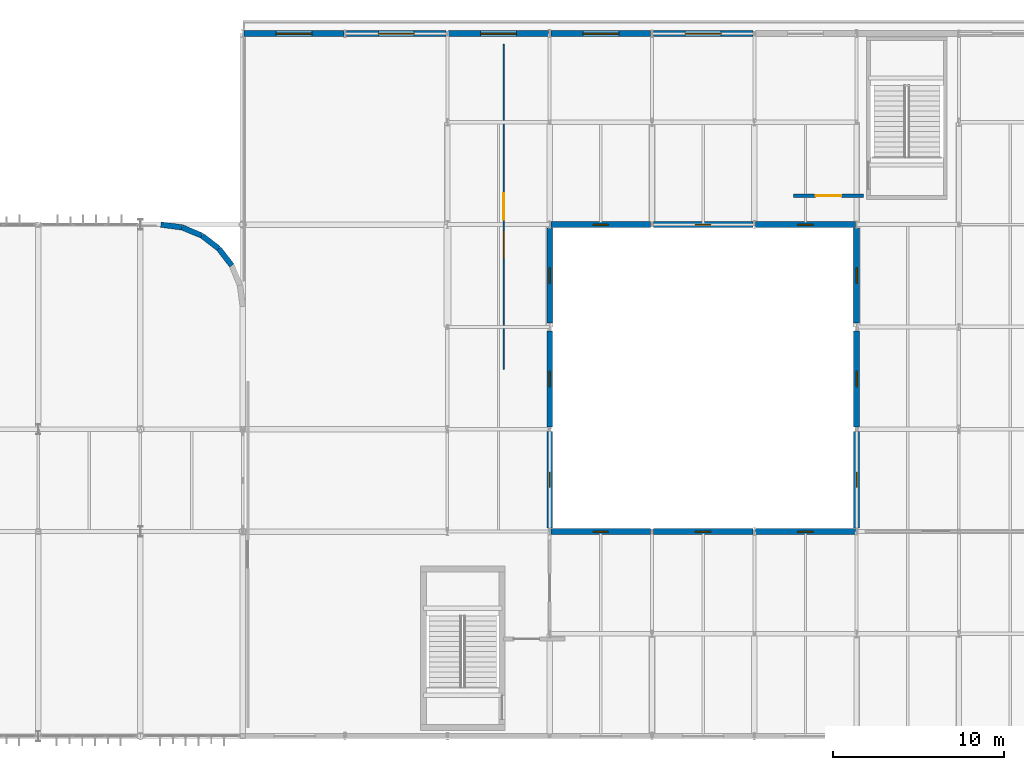
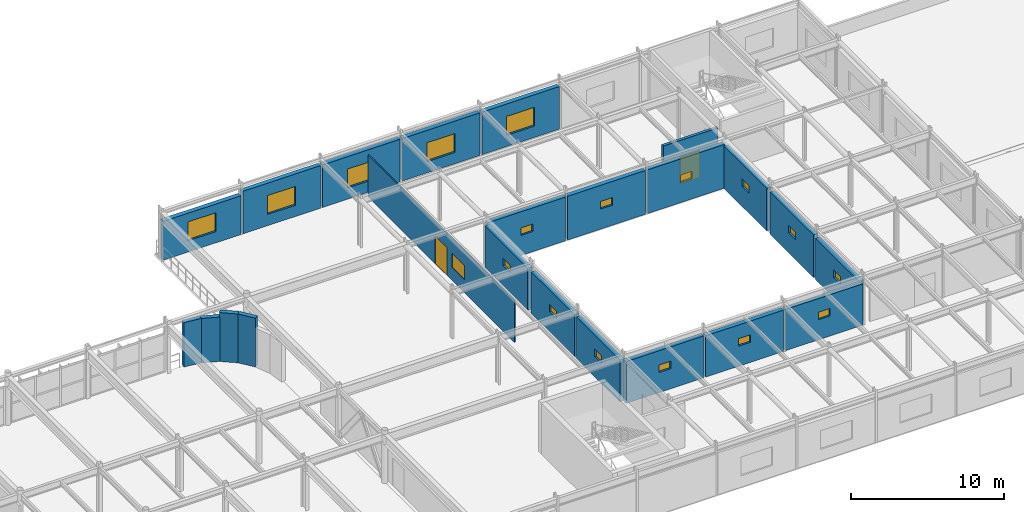
# One storey, part 92 of 116: 23 walls, 18 windows, 2 doors, 20 openings.
"""IFC4 building model written with IfcOpenShell, lengths in metres."""

import ifcopenshell
import ifcopenshell.guid

model = None  # the IFC model being written
_history = None  # IfcOwnerHistory: only IFC2X3 demands one
_inside = {}  # id of a spatial element -> (the spatial element, [elements in it])
_under = {}  # id of a project, library or spatial element -> (it, [spatial elements below it])
_declared = {}  # id of a project -> (the project, [libraries it declares])
_typed = {}  # id of a type object -> (the type object, [elements of that type])
_made_of = {}  # id of a material, layer set ... -> (it, [elements and type objects made of it])


def new_model(schema):
    """Start an empty IFC model of exactly this schema.

    Asked for "IFC4X3", IfcOpenShell would pick the latest addendum, in which some entities
    have other attributes; the version numbers below select the first issue.
    IFC2X3 requires an IfcOwnerHistory on every rooted entity: one is made here for all.
    """
    global model, _history
    if schema == "IFC4X3":
        model = ifcopenshell.file(schema_version=(4, 3, 0, 0))
    else:
        model = ifcopenshell.file(schema=schema)
    _inside.clear()
    _under.clear()
    _declared.clear()
    _typed.clear()
    _made_of.clear()
    _history = None
    if model.schema == "IFC2X3":
        org = make("IfcOrganization", Name="unknown")
        user = make(
            "IfcPersonAndOrganization",
            ThePerson=make("IfcPerson", FamilyName="unknown"),
            TheOrganization=org,
        )
        app = make(
            "IfcApplication",
            ApplicationDeveloper=org,
            Version="unknown",
            ApplicationFullName="unknown",
            ApplicationIdentifier="unknown",
        )
        _history = make(
            "IfcOwnerHistory",
            OwningUser=user,
            OwningApplication=app,
            ChangeAction="ADDED",
            CreationDate=0,
        )
    return model


def make(cls, **values):
    """One entity of the class cls with the attributes given. An attribute that is None is left unset."""
    return model.create_entity(
        cls, **{name: value for name, value in values.items() if value is not None}
    )


def rooted(cls, **values):
    """An entity with a GlobalId (a new one), such as an element, a storey or a relation."""
    return make(cls, GlobalId=ifcopenshell.guid.new(), OwnerHistory=_history, **values)


def si_unit(unit_type, name, prefix=None):
    """IfcSIUnit, for example si_unit("LENGTHUNIT", "METRE", prefix="MILLI")."""
    return make("IfcSIUnit", UnitType=unit_type, Prefix=prefix, Name=name)


def assignment(units):
    """IfcUnitAssignment: the units of a project."""
    return None if units is None else make("IfcUnitAssignment", Units=units)


def point(xyz):
    """IfcCartesianPoint."""
    return None if xyz is None else make("IfcCartesianPoint", Coordinates=xyz)


def direction(xyz):
    """IfcDirection."""
    return None if xyz is None else make("IfcDirection", DirectionRatios=xyz)


def frame(location, z_axis=None, x_axis=None):
    """IfcAxis2Placement3D, a coordinate frame: its origin and axes. An axis left out is left unset."""
    return make(
        "IfcAxis2Placement3D",
        Location=point(location),
        Axis=direction(z_axis),
        RefDirection=direction(x_axis),
    )


def frame_2d(location, x_axis=None):
    """IfcAxis2Placement2D, a coordinate frame in the plane: its origin and x axis."""
    return make(
        "IfcAxis2Placement2D", Location=point(location), RefDirection=direction(x_axis)
    )


def origin():
    """The frame at (0, 0, 0) with its axes left unset."""
    return frame((0.0, 0.0, 0.0))


def place(relative_to, where):
    """IfcLocalPlacement: puts the frame where relative to a parent placement (None: the world)."""
    return make(
        "IfcLocalPlacement", PlacementRelTo=relative_to, RelativePlacement=where
    )


def context(
    kind, dimensions, precision=None, world=None, true_north=None, identifier=None
):
    """IfcGeometricRepresentationContext, for example the 3D "Model" context."""
    return make(
        "IfcGeometricRepresentationContext",
        ContextIdentifier=identifier,
        ContextType=kind,
        CoordinateSpaceDimension=dimensions,
        Precision=precision,
        WorldCoordinateSystem=world,
        TrueNorth=true_north,
    )


def subcontext(parent, identifier, kind, view, scale=None):
    """IfcGeometricRepresentationSubContext, for example "Body" below "Model"."""
    return make(
        "IfcGeometricRepresentationSubContext",
        ContextIdentifier=identifier,
        ContextType=kind,
        ParentContext=parent,
        TargetScale=scale,
        TargetView=view,
    )


def project(units=None, contexts=None):
    """IfcProject with its units and contexts."""
    return rooted(
        "IfcProject",
        Name="project",
        RepresentationContexts=contexts,
        UnitsInContext=assignment(units),
    )


def spatial(cls, under=None, at=None, **own):
    """A site, building, storey or space (cls), placed at a placement, below another one or the project."""
    s = rooted(cls, ObjectPlacement=at, **own)
    if under is not None:
        _under.setdefault(under.id(), (under, []))[1].append(s)
    return s


def profile(cls, at=None, kind="AREA", **sizes):
    """A parametric profile (cls). Its sizes go by their IFC names, for example OverallWidth=200.0."""
    return make(cls, ProfileType=kind, Position=at, **sizes)


def rectangle(**sizes):
    """IfcRectangleProfileDef."""
    return profile("IfcRectangleProfileDef", **sizes)


def extrude(swept, where, along, depth):
    """IfcExtrudedAreaSolid: the profile swept, set in the frame where, extruded along a direction by depth."""
    return make(
        "IfcExtrudedAreaSolid",
        SweptArea=swept,
        Position=where,
        ExtrudedDirection=direction(along),
        Depth=depth,
    )


def shape(context_of_items, identifier, shape_type, items):
    """IfcShapeRepresentation: the items that make up one representation, for example the "Body"."""
    return make(
        "IfcShapeRepresentation",
        ContextOfItems=context_of_items,
        RepresentationIdentifier=identifier,
        RepresentationType=shape_type,
        Items=items,
    )


def material(Name=None, Category=None):
    """IfcMaterial."""
    return make("IfcMaterial", Name=Name, Category=Category)


def layer(
    of_material, thickness, ventilated=None, Name=None, Category=None, Priority=None
):
    """IfcMaterialLayer: one layer of a wall or slab, of a material (None: an air gap)."""
    return make(
        "IfcMaterialLayer",
        Material=of_material,
        LayerThickness=thickness,
        IsVentilated=ventilated,
        Name=Name,
        Category=Category,
        Priority=Priority,
    )


def layer_set(layers, Name=None):
    """IfcMaterialLayerSet."""
    return make("IfcMaterialLayerSet", MaterialLayers=layers, LayerSetName=Name)


def made_of(thing, what):
    """Note that an element or type object is made of a material, layer set ...; save() writes the relation."""
    if what is not None:
        _made_of.setdefault(what.id(), (what, []))[1].append(thing)
    return thing


def type_object(cls, material=None, **own):
    """A type object (cls), such as IfcWallType, which elements share."""
    return made_of(rooted(cls, **own), material)


def element(
    cls,
    number,
    at=None,
    inside=None,
    cuts=None,
    type_object=None,
    material=None,
    context=None,
    identifier="Body",
    shape_type=None,
    held_by="IfcProductDefinitionShape",
    body=None,
    shapes=None,
    **own,
):
    """One element of the class cls, such as IfcWall. Its Tag is "e" and its number.

    at: its placement. inside: the storey or other place that contains it. cuts: it is an
    opening in that element (IfcRelVoidsElement). A single representation is given by context,
    identifier, shape_type and body (its items); several are given by shapes. held_by: the class
    of the entity that holds the representations. save() writes the other relations.
    """
    e = rooted(cls, Tag="e%d" % number, ObjectPlacement=at, **own)
    if body is not None:
        shapes = [shape(context, identifier, shape_type, body)]
    if shapes is not None:
        e.Representation = make(held_by, Representations=shapes)
    if inside is not None:
        _inside.setdefault(inside.id(), (inside, []))[1].append(e)
    if cuts is not None:
        rooted(
            "IfcRelVoidsElement", RelatingBuildingElement=cuts, RelatedOpeningElement=e
        )
    if type_object is not None:
        _typed.setdefault(type_object.id(), (type_object, []))[1].append(e)
    return made_of(e, material)


def fill(opening, filler):
    """IfcRelFillsElement: the door or window that sits in an opening."""
    return rooted(
        "IfcRelFillsElement",
        RelatingOpeningElement=opening,
        RelatedBuildingElement=filler,
    )


def aggregate(whole, parts):
    """IfcRelAggregates: a whole, such as a stair, and the parts it consists of."""
    return rooted("IfcRelAggregates", RelatingObject=whole, RelatedObjects=parts)


def save(model, path):
    """Write the relations noted so far, then the file.

    IfcRelAggregates (storeys below a building ...), IfcRelContainedInSpatialStructure (elements
    in a storey), IfcRelDefinesByType, IfcRelAssociatesMaterial and IfcRelDeclares: one each for
    every whole, place, type object, material and project.
    """
    for whole, parts in _under.values():
        aggregate(whole, parts)
    for where, things in _inside.values():
        rooted(
            "IfcRelContainedInSpatialStructure",
            RelatedElements=things,
            RelatingStructure=where,
        )
    for kind, things in _typed.values():
        rooted("IfcRelDefinesByType", RelatedObjects=things, RelatingType=kind)
    for what, things in _made_of.values():
        rooted("IfcRelAssociatesMaterial", RelatedObjects=things, RelatingMaterial=what)
    for by, libraries in _declared.values():
        rooted("IfcRelDeclares", RelatingContext=by, RelatedDefinitions=libraries)
    model.write(path)


model = new_model("IFC4")

# Units and contexts
model_context = context("Model", 3, precision=1e-05, world=origin(), true_north=direction((0.0, 1.0)))
body_context = subcontext(model_context, "Body", "Model", "MODEL_VIEW")
ifc_project = project(units=[si_unit("LENGTHUNIT", "METRE"), si_unit("AREAUNIT", "SQUARE_METRE"), si_unit("VOLUMEUNIT", "CUBIC_METRE"), si_unit("PLANEANGLEUNIT", "RADIAN"), si_unit("MASSUNIT", "GRAM", prefix="KILO")], contexts=[model_context])

# Site, building, storey
site_placement = place(None, origin())
site = spatial("IfcSite", under=ifc_project, at=site_placement, CompositionType="ELEMENT")
building_placement = place(site_placement, origin())
building = spatial("IfcBuilding", under=site, at=building_placement, Name="Varnakota Square Police Headquarters", CompositionType="ELEMENT")
storey_placement = place(building_placement, frame((0.0, 0.0, 9.300048828125)))
storey = spatial("IfcBuildingStorey", under=building, at=storey_placement, Name="L02", CompositionType="ELEMENT", Elevation=9.300048828125)

# Walls
ifc_material_1 = material(Name="Precast concrete M40", Category="concrete")
ifc_layer_1 = layer(ifc_material_1, 0.320068359375, Name="Precast concrete M40")
ifc_layer_set_1 = layer_set([ifc_layer_1], Name="Precast concrete M40")
wall_type_1 = type_object("IfcWallType", Name="WL-EXT-320", PredefinedType="SOLIDWALL", material=ifc_layer_set_1)
for number, where, z_axis, x_axis, name in (
    (1, (95.35693359375, 96.60009765625, 0.0), (0.0, 0.0, 1.0), (-0.60891003886, 0.793239285824, 0.0), "Exterior wall EW-L02-0516"),
    (2, (94.593994140625, 97.593994140625, 0.0), (0.0, 0.0, 1.0), (-0.793239285824, 0.60891003886, 0.0), "Exterior wall EW-L02-0517"),
):
    element("IfcWall", number, at=place(storey_placement, frame(where, z_axis=z_axis, x_axis=x_axis)), inside=storey, type_object=wall_type_1, Name=name, PredefinedType="SOLIDWALL", context=body_context, shape_type="SweptSolid", body=[
        extrude(rectangle(XDim=1.2529296875, YDim=0.320068359375, at=frame_2d((0.62646484375, 0.0))), origin(), (0.0, 0.0, 1.0), 3.89501953125),
    ])
for number, where, z_axis, x_axis, name in (
    (3, (93.60009765625, 98.35693359375, 0.0), (0.0, 0.0, 1.0), (-0.92389335771, 0.382650053678, 0.0), "Exterior wall EW-L02-0518"),
    (4, (92.4423828125, 98.83642578125, 0.0), (0.0, 0.0, 1.0), (-0.991444346045, 0.130530106475, 0.0), "Exterior wall EW-L02-0519"),
):
    element("IfcWall", number, at=place(storey_placement, frame(where, z_axis=z_axis, x_axis=x_axis)), inside=storey, type_object=wall_type_1, Name=name, PredefinedType="SOLIDWALL", context=body_context, shape_type="SweptSolid", body=[
        extrude(rectangle(XDim=1.253173828125, YDim=0.320068359375, at=frame_2d((0.62646484375, 0.0))), origin(), (0.0, 0.0, 1.0), 3.5400390625),
    ])

# Wall, opening, window
ifc_material_2 = material(Name="Concrete M40", Category="concrete")
ifc_layer_2 = layer(ifc_material_2, 0.340087890625, Name="Concrete M40")
ifc_layer_set_2 = layer_set([ifc_layer_2], Name="Concrete M40")
wall_type_2 = type_object("IfcWallType", Name="WL-EXT-340", PredefinedType="SOLIDWALL", material=ifc_layer_set_2)
wall_1_placement = place(storey_placement, frame((96.0791015625, 110.199951171875, 0.0), z_axis=(0.0, 0.0, 1.0), x_axis=(1.0, 0.0, 0.0)))
wall_1 = element("IfcWall", 5, at=wall_1_placement, inside=storey, type_object=wall_type_2, Name="Exterior wall EW-L02-0725", PredefinedType="SOLIDWALL", context=body_context, shape_type="SweptSolid", body=[
    extrude(rectangle(XDim=5.846923828125, YDim=0.340087890625, at=frame_2d((2.92333984375, 0.0))), origin(), (0.0, 0.0, 1.0), 3.08984375),
])
opening_1_placement = place(wall_1_placement, frame((1.87353515625, 0.0, 0.89990234375)))
opening_1 = element("IfcOpeningElement", 6, at=opening_1_placement, cuts=wall_1, Name="Opening W08", PredefinedType="OPENING", context=body_context, shape_type="SweptSolid", body=[
    extrude(rectangle(XDim=2.10009765625, YDim=1.5, at=frame_2d((1.050048828125, 0.75))), frame((0.0, 0.179931640625, 0.0), z_axis=(0.0, -1.0, 0.0), x_axis=(1.0, 0.0, 0.0)), (0.0, 0.0, 1.0), 0.360107421875),
])
ifc_material_3 = material(Name="Thermally Broken Aluminium Double-Glazed Window", Category="aluminium")
window_type_1 = type_object("IfcWindowType", Name="WIN-08", PartitioningType="SINGLE_PANEL", PredefinedType="WINDOW", material=ifc_material_3)
window_1_placement = place(opening_1_placement, origin())
window_1 = element("IfcWindow", 7, at=window_1_placement, inside=storey, type_object=window_type_1, Name="Window WN-L02-0228", OverallHeight=1.5, OverallWidth=2.10009765625, PartitioningType="SINGLE_PANEL", PredefinedType="WINDOW", context=body_context, shape_type="SweptSolid", body=[
    extrude(rectangle(XDim=2.10009765625, YDim=1.5, at=frame_2d((1.050048828125, 0.75))), frame((0.0, 0.030029296875, 0.0), z_axis=(0.0, -1.0, 0.0), x_axis=(1.0, 0.0, 0.0)), (0.0, 0.0, 1.0), 0.06005859375),
])
fill(opening_1, window_1)

wall_2_placement = place(storey_placement, frame((102.073974609375, 110.199951171875, 0.0), z_axis=(0.0, 0.0, 1.0), x_axis=(1.0, 0.0, 0.0)))
wall_2 = element("IfcWall", 8, at=wall_2_placement, inside=storey, type_object=wall_type_2, Name="Exterior wall EW-L02-0726", PredefinedType="SOLIDWALL", context=body_context, shape_type="SweptSolid", body=[
    extrude(rectangle(XDim=5.846923828125, YDim=0.340087890625, at=frame_2d((2.92333984375, 0.0))), origin(), (0.0, 0.0, 1.0), 3.389892578125),
])
opening_2_placement = place(wall_2_placement, frame((1.87353515625, 0.0, 0.89990234375)))
opening_2 = element("IfcOpeningElement", 9, at=opening_2_placement, cuts=wall_2, Name="Opening W08", PredefinedType="OPENING", context=body_context, shape_type="SweptSolid", body=[
    extrude(rectangle(XDim=2.10009765625, YDim=1.5, at=frame_2d((1.050048828125, 0.75))), frame((0.0, 0.179931640625, 0.0), z_axis=(0.0, -1.0, 0.0), x_axis=(1.0, 0.0, 0.0)), (0.0, 0.0, 1.0), 0.360107421875),
])
window_2_placement = place(opening_2_placement, origin())
window_2 = element("IfcWindow", 10, at=window_2_placement, inside=storey, type_object=window_type_1, Name="Window WN-L02-0229", OverallHeight=1.5, OverallWidth=2.10009765625, PartitioningType="SINGLE_PANEL", PredefinedType="WINDOW", context=body_context, shape_type="SweptSolid", body=[
    extrude(rectangle(XDim=2.10009765625, YDim=1.5, at=frame_2d((1.050048828125, 0.75))), frame((0.0, 0.030029296875, 0.0), z_axis=(0.0, -1.0, 0.0), x_axis=(1.0, 0.0, 0.0)), (0.0, 0.0, 1.0), 0.06005859375),
])
fill(opening_2, window_2)

wall_3_placement = place(storey_placement, frame((108.0791015625, 110.199951171875, 0.0), z_axis=(0.0, 0.0, 1.0), x_axis=(1.0, 0.0, 0.0)))
wall_3 = element("IfcWall", 11, at=wall_3_placement, inside=storey, type_object=wall_type_2, Name="Exterior wall EW-L02-0727", PredefinedType="SOLIDWALL", context=body_context, shape_type="SweptSolid", body=[
    extrude(rectangle(XDim=5.841796875, YDim=0.340087890625, at=frame_2d((2.9208984375, 0.0))), origin(), (0.0, 0.0, 1.0), 3.389892578125),
])
opening_3_placement = place(wall_3_placement, frame((1.87109375, 0.0, 0.89990234375)))
opening_3 = element("IfcOpeningElement", 12, at=opening_3_placement, cuts=wall_3, Name="Opening W08", PredefinedType="OPENING", context=body_context, shape_type="SweptSolid", body=[
    extrude(rectangle(XDim=2.10009765625, YDim=1.5, at=frame_2d((1.050048828125, 0.75))), frame((0.0, 0.179931640625, 0.0), z_axis=(0.0, -1.0, 0.0), x_axis=(1.0, 0.0, 0.0)), (0.0, 0.0, 1.0), 0.360107421875),
])
window_3_placement = place(opening_3_placement, origin())
window_3 = element("IfcWindow", 13, at=window_3_placement, inside=storey, type_object=window_type_1, Name="Window WN-L02-0230", OverallHeight=1.5, OverallWidth=2.10009765625, PartitioningType="SINGLE_PANEL", PredefinedType="WINDOW", context=body_context, shape_type="SweptSolid", body=[
    extrude(rectangle(XDim=2.10009765625, YDim=1.5, at=frame_2d((1.050048828125, 0.75))), frame((0.0, 0.030029296875, 0.0), z_axis=(0.0, -1.0, 0.0), x_axis=(1.0, 0.0, 0.0)), (0.0, 0.0, 1.0), 0.06005859375),
])
fill(opening_3, window_3)

wall_4_placement = place(storey_placement, frame((114.0791015625, 110.199951171875, 0.0), z_axis=(0.0, 0.0, 1.0), x_axis=(1.0, 0.0, 0.0)))
wall_4 = element("IfcWall", 14, at=wall_4_placement, inside=storey, type_object=wall_type_2, Name="Exterior wall EW-L02-0728", PredefinedType="SOLIDWALL", context=body_context, shape_type="SweptSolid", body=[
    extrude(rectangle(XDim=5.846923828125, YDim=0.340087890625, at=frame_2d((2.92333984375, 0.0))), origin(), (0.0, 0.0, 1.0), 3.389892578125),
])
opening_4_placement = place(wall_4_placement, frame((1.87353515625, 0.0, 0.89990234375)))
opening_4 = element("IfcOpeningElement", 15, at=opening_4_placement, cuts=wall_4, Name="Opening W08", PredefinedType="OPENING", context=body_context, shape_type="SweptSolid", body=[
    extrude(rectangle(XDim=2.10009765625, YDim=1.5, at=frame_2d((1.050048828125, 0.75))), frame((0.0, 0.179931640625, 0.0), z_axis=(0.0, -1.0, 0.0), x_axis=(1.0, 0.0, 0.0)), (0.0, 0.0, 1.0), 0.360107421875),
])
window_4_placement = place(opening_4_placement, origin())
window_4 = element("IfcWindow", 16, at=window_4_placement, inside=storey, type_object=window_type_1, Name="Window WN-L02-0231", OverallHeight=1.5, OverallWidth=2.10009765625, PartitioningType="SINGLE_PANEL", PredefinedType="WINDOW", context=body_context, shape_type="SweptSolid", body=[
    extrude(rectangle(XDim=2.10009765625, YDim=1.5, at=frame_2d((1.050048828125, 0.75))), frame((0.0, 0.030029296875, 0.0), z_axis=(0.0, -1.0, 0.0), x_axis=(1.0, 0.0, 0.0)), (0.0, 0.0, 1.0), 0.06005859375),
])
fill(opening_4, window_4)

wall_5_placement = place(storey_placement, frame((120.073974609375, 110.199951171875, 0.0), z_axis=(0.0, 0.0, 1.0), x_axis=(1.0, 0.0, 0.0)))
wall_5 = element("IfcWall", 17, at=wall_5_placement, inside=storey, type_object=wall_type_2, Name="Exterior wall EW-L02-0729", PredefinedType="SOLIDWALL", context=body_context, shape_type="SweptSolid", body=[
    extrude(rectangle(XDim=5.846923828125, YDim=0.340087890625, at=frame_2d((2.92333984375, 0.0))), origin(), (0.0, 0.0, 1.0), 3.389892578125),
])
opening_5_placement = place(wall_5_placement, frame((1.87353515625, 0.0, 0.89990234375)))
opening_5 = element("IfcOpeningElement", 18, at=opening_5_placement, cuts=wall_5, Name="Opening W08", PredefinedType="OPENING", context=body_context, shape_type="SweptSolid", body=[
    extrude(rectangle(XDim=2.10009765625, YDim=1.5, at=frame_2d((1.050048828125, 0.75))), frame((0.0, 0.179931640625, 0.0), z_axis=(0.0, -1.0, 0.0), x_axis=(1.0, 0.0, 0.0)), (0.0, 0.0, 1.0), 0.360107421875),
])
window_5_placement = place(opening_5_placement, origin())
window_5 = element("IfcWindow", 19, at=window_5_placement, inside=storey, type_object=window_type_1, Name="Window WN-L02-0232", OverallHeight=1.5, OverallWidth=2.10009765625, PartitioningType="SINGLE_PANEL", PredefinedType="WINDOW", context=body_context, shape_type="SweptSolid", body=[
    extrude(rectangle(XDim=2.10009765625, YDim=1.5, at=frame_2d((1.050048828125, 0.75))), frame((0.0, 0.030029296875, 0.0), z_axis=(0.0, -1.0, 0.0), x_axis=(1.0, 0.0, 0.0)), (0.0, 0.0, 1.0), 0.06005859375),
])
fill(opening_5, window_5)

wall_6_placement = place(storey_placement, frame((114.073974609375, 81.0, 0.0), z_axis=(0.0, 0.0, 1.0), x_axis=(1.0, 0.0, 0.0)))
wall_6 = element("IfcWall", 20, at=wall_6_placement, inside=storey, type_object=wall_type_2, Name="Exterior wall EW-L02-0748", PredefinedType="SOLIDWALL", context=body_context, shape_type="SweptSolid", body=[
    extrude(rectangle(XDim=5.846923828125, YDim=0.340087890625, at=frame_2d((2.92333984375, 0.0))), origin(), (0.0, 0.0, 1.0), 3.33984375),
])
opening_6_placement = place(wall_6_placement, frame((2.473388671875, 0.0, 1.60009765625)))
opening_6 = element("IfcOpeningElement", 21, at=opening_6_placement, cuts=wall_6, Name="Opening W13", PredefinedType="OPENING", context=body_context, shape_type="SweptSolid", body=[
    extrude(rectangle(XDim=0.89990234375, YDim=0.60009765625, at=frame_2d((0.449951171875, 0.300048828125))), frame((0.0, 0.179931640625, 0.0), z_axis=(0.0, -1.0, 0.0), x_axis=(1.0, 0.0, 0.0)), (0.0, 0.0, 1.0), 0.360107421875),
])
window_type_2 = type_object("IfcWindowType", Name="WIN-13", PartitioningType="SINGLE_PANEL", PredefinedType="WINDOW", material=ifc_material_3)
window_6_placement = place(opening_6_placement, origin())
window_6 = element("IfcWindow", 22, at=window_6_placement, inside=storey, type_object=window_type_2, Name="Window WN-L02-0248", OverallHeight=0.60009765625, OverallWidth=0.89990234375, PartitioningType="SINGLE_PANEL", PredefinedType="WINDOW", context=body_context, shape_type="SweptSolid", body=[
    extrude(rectangle(XDim=0.89990234375, YDim=0.60009765625, at=frame_2d((0.449951171875, 0.300048828125))), frame((0.0, 0.030029296875, 0.0), z_axis=(0.0, -1.0, 0.0), x_axis=(1.0, 0.0, 0.0)), (0.0, 0.0, 1.0), 0.06005859375),
])
fill(opening_6, window_6)

wall_7_placement = place(storey_placement, frame((114.073974609375, 99.0, 0.0), z_axis=(0.0, 0.0, 1.0), x_axis=(1.0, 0.0, 0.0)))
wall_7 = element("IfcWall", 23, at=wall_7_placement, inside=storey, type_object=wall_type_2, Name="Exterior wall EW-L02-0749", PredefinedType="SOLIDWALL", context=body_context, shape_type="SweptSolid", body=[
    extrude(rectangle(XDim=5.846923828125, YDim=0.340087890625, at=frame_2d((2.92333984375, 0.0))), origin(), (0.0, 0.0, 1.0), 3.483642578125),
])
opening_7_placement = place(wall_7_placement, frame((2.473388671875, 0.0, 1.60009765625)))
opening_7 = element("IfcOpeningElement", 24, at=opening_7_placement, cuts=wall_7, Name="Opening W13", PredefinedType="OPENING", context=body_context, shape_type="SweptSolid", body=[
    extrude(rectangle(XDim=0.89990234375, YDim=0.60009765625, at=frame_2d((0.449951171875, 0.300048828125))), frame((0.0, 0.179931640625, 0.0), z_axis=(0.0, -1.0, 0.0), x_axis=(1.0, 0.0, 0.0)), (0.0, 0.0, 1.0), 0.360107421875),
])
window_7_placement = place(opening_7_placement, origin())
window_7 = element("IfcWindow", 25, at=window_7_placement, inside=storey, type_object=window_type_2, Name="Window WN-L02-0249", OverallHeight=0.60009765625, OverallWidth=0.89990234375, PartitioningType="SINGLE_PANEL", PredefinedType="WINDOW", context=body_context, shape_type="SweptSolid", body=[
    extrude(rectangle(XDim=0.89990234375, YDim=0.60009765625, at=frame_2d((0.449951171875, 0.300048828125))), frame((0.0, 0.030029296875, 0.0), z_axis=(0.0, -1.0, 0.0), x_axis=(1.0, 0.0, 0.0)), (0.0, 0.0, 1.0), 0.06005859375),
])
fill(opening_7, window_7)

wall_8_placement = place(storey_placement, frame((120.0791015625, 81.0, 0.0), z_axis=(0.0, 0.0, 1.0), x_axis=(1.0, 0.0, 0.0)))
wall_8 = element("IfcWall", 26, at=wall_8_placement, inside=storey, type_object=wall_type_2, Name="Exterior wall EW-L02-0750", PredefinedType="SOLIDWALL", context=body_context, shape_type="SweptSolid", body=[
    extrude(rectangle(XDim=5.841796875, YDim=0.340087890625, at=frame_2d((2.9208984375, 0.0))), origin(), (0.0, 0.0, 1.0), 3.2900390625),
])
opening_8_placement = place(wall_8_placement, frame((2.470947265625, 0.0, 1.60009765625)))
opening_8 = element("IfcOpeningElement", 27, at=opening_8_placement, cuts=wall_8, Name="Opening W13", PredefinedType="OPENING", context=body_context, shape_type="SweptSolid", body=[
    extrude(rectangle(XDim=0.89990234375, YDim=0.60009765625, at=frame_2d((0.449951171875, 0.300048828125))), frame((0.0, 0.179931640625, 0.0), z_axis=(0.0, -1.0, 0.0), x_axis=(1.0, 0.0, 0.0)), (0.0, 0.0, 1.0), 0.360107421875),
])
window_8_placement = place(opening_8_placement, origin())
window_8 = element("IfcWindow", 28, at=window_8_placement, inside=storey, type_object=window_type_2, Name="Window WN-L02-0250", OverallHeight=0.60009765625, OverallWidth=0.89990234375, PartitioningType="SINGLE_PANEL", PredefinedType="WINDOW", context=body_context, shape_type="SweptSolid", body=[
    extrude(rectangle(XDim=0.89990234375, YDim=0.60009765625, at=frame_2d((0.449951171875, 0.300048828125))), frame((0.0, 0.030029296875, 0.0), z_axis=(0.0, -1.0, 0.0), x_axis=(1.0, 0.0, 0.0)), (0.0, 0.0, 1.0), 0.06005859375),
])
fill(opening_8, window_8)

wall_9_placement = place(storey_placement, frame((120.0791015625, 99.0, 0.0), z_axis=(0.0, 0.0, 1.0), x_axis=(1.0, 0.0, 0.0)))
wall_9 = element("IfcWall", 29, at=wall_9_placement, inside=storey, type_object=wall_type_2, Name="Exterior wall EW-L02-0751", PredefinedType="SOLIDWALL", context=body_context, shape_type="SweptSolid", body=[
    extrude(rectangle(XDim=5.841796875, YDim=0.340087890625, at=frame_2d((2.9208984375, 0.0))), origin(), (0.0, 0.0, 1.0), 3.489990234375),
])
opening_9_placement = place(wall_9_placement, frame((2.470947265625, 0.0, 1.60009765625)))
opening_9 = element("IfcOpeningElement", 30, at=opening_9_placement, cuts=wall_9, Name="Opening W13", PredefinedType="OPENING", context=body_context, shape_type="SweptSolid", body=[
    extrude(rectangle(XDim=0.89990234375, YDim=0.60009765625, at=frame_2d((0.449951171875, 0.300048828125))), frame((0.0, 0.179931640625, 0.0), z_axis=(0.0, -1.0, 0.0), x_axis=(1.0, 0.0, 0.0)), (0.0, 0.0, 1.0), 0.360107421875),
])
window_9_placement = place(opening_9_placement, origin())
window_9 = element("IfcWindow", 31, at=window_9_placement, inside=storey, type_object=window_type_2, Name="Window WN-L02-0251", OverallHeight=0.60009765625, OverallWidth=0.89990234375, PartitioningType="SINGLE_PANEL", PredefinedType="WINDOW", context=body_context, shape_type="SweptSolid", body=[
    extrude(rectangle(XDim=0.89990234375, YDim=0.60009765625, at=frame_2d((0.449951171875, 0.300048828125))), frame((0.0, 0.030029296875, 0.0), z_axis=(0.0, -1.0, 0.0), x_axis=(1.0, 0.0, 0.0)), (0.0, 0.0, 1.0), 0.06005859375),
])
fill(opening_9, window_9)

wall_10_placement = place(storey_placement, frame((126.0791015625, 81.0, 0.0), z_axis=(0.0, 0.0, 1.0), x_axis=(1.0, 0.0, 0.0)))
wall_10 = element("IfcWall", 32, at=wall_10_placement, inside=storey, type_object=wall_type_2, Name="Exterior wall EW-L02-0752", PredefinedType="SOLIDWALL", context=body_context, shape_type="SweptSolid", body=[
    extrude(rectangle(XDim=5.846923828125, YDim=0.340087890625, at=frame_2d((2.92333984375, 0.0))), origin(), (0.0, 0.0, 1.0), 3.2900390625),
])
opening_10_placement = place(wall_10_placement, frame((2.473388671875, 0.0, 1.60009765625)))
opening_10 = element("IfcOpeningElement", 33, at=opening_10_placement, cuts=wall_10, Name="Opening W13", PredefinedType="OPENING", context=body_context, shape_type="SweptSolid", body=[
    extrude(rectangle(XDim=0.89990234375, YDim=0.60009765625, at=frame_2d((0.449951171875, 0.300048828125))), frame((0.0, 0.179931640625, 0.0), z_axis=(0.0, -1.0, 0.0), x_axis=(1.0, 0.0, 0.0)), (0.0, 0.0, 1.0), 0.360107421875),
])
window_10_placement = place(opening_10_placement, origin())
window_10 = element("IfcWindow", 34, at=window_10_placement, inside=storey, type_object=window_type_2, Name="Window WN-L02-0252", OverallHeight=0.60009765625, OverallWidth=0.89990234375, PartitioningType="SINGLE_PANEL", PredefinedType="WINDOW", context=body_context, shape_type="SweptSolid", body=[
    extrude(rectangle(XDim=0.89990234375, YDim=0.60009765625, at=frame_2d((0.449951171875, 0.300048828125))), frame((0.0, 0.030029296875, 0.0), z_axis=(0.0, -1.0, 0.0), x_axis=(1.0, 0.0, 0.0)), (0.0, 0.0, 1.0), 0.06005859375),
])
fill(opening_10, window_10)

wall_11_placement = place(storey_placement, frame((126.0791015625, 99.0, 0.0), z_axis=(0.0, 0.0, 1.0), x_axis=(1.0, 0.0, 0.0)))
wall_11 = element("IfcWall", 35, at=wall_11_placement, inside=storey, type_object=wall_type_2, Name="Exterior wall EW-L02-0753", PredefinedType="SOLIDWALL", context=body_context, shape_type="SweptSolid", body=[
    extrude(rectangle(XDim=5.846923828125, YDim=0.340087890625, at=frame_2d((2.92333984375, 0.0))), origin(), (0.0, 0.0, 1.0), 3.483642578125),
])
opening_11_placement = place(wall_11_placement, frame((2.473388671875, 0.0, 1.60009765625)))
opening_11 = element("IfcOpeningElement", 36, at=opening_11_placement, cuts=wall_11, Name="Opening W13", PredefinedType="OPENING", context=body_context, shape_type="SweptSolid", body=[
    extrude(rectangle(XDim=0.89990234375, YDim=0.60009765625, at=frame_2d((0.449951171875, 0.300048828125))), frame((0.0, 0.179931640625, 0.0), z_axis=(0.0, -1.0, 0.0), x_axis=(1.0, 0.0, 0.0)), (0.0, 0.0, 1.0), 0.360107421875),
])
window_11_placement = place(opening_11_placement, origin())
window_11 = element("IfcWindow", 37, at=window_11_placement, inside=storey, type_object=window_type_2, Name="Window WN-L02-0253", OverallHeight=0.60009765625, OverallWidth=0.89990234375, PartitioningType="SINGLE_PANEL", PredefinedType="WINDOW", context=body_context, shape_type="SweptSolid", body=[
    extrude(rectangle(XDim=0.89990234375, YDim=0.60009765625, at=frame_2d((0.449951171875, 0.300048828125))), frame((0.0, 0.030029296875, 0.0), z_axis=(0.0, -1.0, 0.0), x_axis=(1.0, 0.0, 0.0)), (0.0, 0.0, 1.0), 0.06005859375),
])
fill(opening_11, window_11)

wall_12_placement = place(storey_placement, frame((114.0, 81.2041015625, 0.0), z_axis=(0.0, 0.0, 1.0), x_axis=(0.0, 1.0, 0.0)))
wall_12 = element("IfcWall", 38, at=wall_12_placement, inside=storey, type_object=wall_type_2, Name="Exterior wall EW-L02-0754", PredefinedType="SOLIDWALL", context=body_context, shape_type="SweptSolid", body=[
    extrude(rectangle(XDim=5.6669921875, YDim=0.340087890625, at=frame_2d((2.83349609375, 0.0))), origin(), (0.0, 0.0, 1.0), 3.33984375),
])
opening_12_placement = place(wall_12_placement, frame((2.383544921875, 0.0, 1.60009765625)))
opening_12 = element("IfcOpeningElement", 39, at=opening_12_placement, cuts=wall_12, Name="Opening W13", PredefinedType="OPENING", context=body_context, shape_type="SweptSolid", body=[
    extrude(rectangle(XDim=0.89990234375, YDim=0.60009765625, at=frame_2d((0.449951171875, 0.300048828125))), frame((0.0, 0.179931640625, 0.0), z_axis=(0.0, -1.0, 0.0), x_axis=(1.0, 0.0, 0.0)), (0.0, 0.0, 1.0), 0.360107421875),
])
window_12_placement = place(opening_12_placement, origin())
window_12 = element("IfcWindow", 40, at=window_12_placement, inside=storey, type_object=window_type_2, Name="Window WN-L02-0254", OverallHeight=0.60009765625, OverallWidth=0.89990234375, PartitioningType="SINGLE_PANEL", PredefinedType="WINDOW", context=body_context, shape_type="SweptSolid", body=[
    extrude(rectangle(XDim=0.89990234375, YDim=0.60009765625, at=frame_2d((0.449951171875, 0.300048828125))), frame((0.0, 0.030029296875, 0.0), z_axis=(0.0, -1.0, 0.0), x_axis=(1.0, 0.0, 0.0)), (0.0, 0.0, 1.0), 0.06005859375),
])
fill(opening_12, window_12)

wall_13_placement = place(storey_placement, frame((132.0, 81.2041015625, 0.0), z_axis=(0.0, 0.0, 1.0), x_axis=(0.0, 1.0, 0.0)))
wall_13 = element("IfcWall", 41, at=wall_13_placement, inside=storey, type_object=wall_type_2, Name="Exterior wall EW-L02-0755", PredefinedType="SOLIDWALL", context=body_context, shape_type="SweptSolid", body=[
    extrude(rectangle(XDim=5.6669921875, YDim=0.340087890625, at=frame_2d((2.83349609375, 0.0))), origin(), (0.0, 0.0, 1.0), 3.2900390625),
])
opening_13_placement = place(wall_13_placement, frame((2.383544921875, 0.0, 1.60009765625)))
opening_13 = element("IfcOpeningElement", 42, at=opening_13_placement, cuts=wall_13, Name="Opening W13", PredefinedType="OPENING", context=body_context, shape_type="SweptSolid", body=[
    extrude(rectangle(XDim=0.89990234375, YDim=0.60009765625, at=frame_2d((0.449951171875, 0.300048828125))), frame((0.0, 0.179931640625, 0.0), z_axis=(0.0, -1.0, 0.0), x_axis=(1.0, 0.0, 0.0)), (0.0, 0.0, 1.0), 0.360107421875),
])
window_13_placement = place(opening_13_placement, origin())
window_13 = element("IfcWindow", 43, at=window_13_placement, inside=storey, type_object=window_type_2, Name="Window WN-L02-0255", OverallHeight=0.60009765625, OverallWidth=0.89990234375, PartitioningType="SINGLE_PANEL", PredefinedType="WINDOW", context=body_context, shape_type="SweptSolid", body=[
    extrude(rectangle(XDim=0.89990234375, YDim=0.60009765625, at=frame_2d((0.449951171875, 0.300048828125))), frame((0.0, 0.030029296875, 0.0), z_axis=(0.0, -1.0, 0.0), x_axis=(1.0, 0.0, 0.0)), (0.0, 0.0, 1.0), 0.06005859375),
])
fill(opening_13, window_13)

wall_14_placement = place(storey_placement, frame((114.0, 87.12890625, 0.0), z_axis=(0.0, 0.0, 1.0), x_axis=(0.0, 1.0, 0.0)))
wall_14 = element("IfcWall", 44, at=wall_14_placement, inside=storey, type_object=wall_type_2, Name="Exterior wall EW-L02-0756", PredefinedType="SOLIDWALL", context=body_context, shape_type="SweptSolid", body=[
    extrude(rectangle(XDim=5.64208984375, YDim=0.340087890625, at=frame_2d((2.821044921875, 0.0))), origin(), (0.0, 0.0, 1.0), 3.33984375),
])
opening_14_placement = place(wall_14_placement, frame((2.37109375, 0.0, 1.60009765625)))
opening_14 = element("IfcOpeningElement", 45, at=opening_14_placement, cuts=wall_14, Name="Opening W13", PredefinedType="OPENING", context=body_context, shape_type="SweptSolid", body=[
    extrude(rectangle(XDim=0.89990234375, YDim=0.60009765625, at=frame_2d((0.449951171875, 0.300048828125))), frame((0.0, 0.179931640625, 0.0), z_axis=(0.0, -1.0, 0.0), x_axis=(1.0, 0.0, 0.0)), (0.0, 0.0, 1.0), 0.360107421875),
])
window_14_placement = place(opening_14_placement, origin())
window_14 = element("IfcWindow", 46, at=window_14_placement, inside=storey, type_object=window_type_2, Name="Window WN-L02-0256", OverallHeight=0.60009765625, OverallWidth=0.89990234375, PartitioningType="SINGLE_PANEL", PredefinedType="WINDOW", context=body_context, shape_type="SweptSolid", body=[
    extrude(rectangle(XDim=0.89990234375, YDim=0.60009765625, at=frame_2d((0.449951171875, 0.300048828125))), frame((0.0, 0.030029296875, 0.0), z_axis=(0.0, -1.0, 0.0), x_axis=(1.0, 0.0, 0.0)), (0.0, 0.0, 1.0), 0.06005859375),
])
fill(opening_14, window_14)

wall_15_placement = place(storey_placement, frame((132.0, 87.12890625, 0.0), z_axis=(0.0, 0.0, 1.0), x_axis=(0.0, 1.0, 0.0)))
wall_15 = element("IfcWall", 47, at=wall_15_placement, inside=storey, type_object=wall_type_2, Name="Exterior wall EW-L02-0757", PredefinedType="SOLIDWALL", context=body_context, shape_type="SweptSolid", body=[
    extrude(rectangle(XDim=5.64208984375, YDim=0.340087890625, at=frame_2d((2.821044921875, 0.0))), origin(), (0.0, 0.0, 1.0), 3.389892578125),
])
opening_15_placement = place(wall_15_placement, frame((2.37109375, 0.0, 1.60009765625)))
opening_15 = element("IfcOpeningElement", 48, at=opening_15_placement, cuts=wall_15, Name="Opening W13", PredefinedType="OPENING", context=body_context, shape_type="SweptSolid", body=[
    extrude(rectangle(XDim=0.89990234375, YDim=0.60009765625, at=frame_2d((0.449951171875, 0.300048828125))), frame((0.0, 0.179931640625, 0.0), z_axis=(0.0, -1.0, 0.0), x_axis=(1.0, 0.0, 0.0)), (0.0, 0.0, 1.0), 0.360107421875),
])
window_15_placement = place(opening_15_placement, origin())
window_15 = element("IfcWindow", 49, at=window_15_placement, inside=storey, type_object=window_type_2, Name="Window WN-L02-0257", OverallHeight=0.60009765625, OverallWidth=0.89990234375, PartitioningType="SINGLE_PANEL", PredefinedType="WINDOW", context=body_context, shape_type="SweptSolid", body=[
    extrude(rectangle(XDim=0.89990234375, YDim=0.60009765625, at=frame_2d((0.449951171875, 0.300048828125))), frame((0.0, 0.030029296875, 0.0), z_axis=(0.0, -1.0, 0.0), x_axis=(1.0, 0.0, 0.0)), (0.0, 0.0, 1.0), 0.06005859375),
])
fill(opening_15, window_15)

wall_16_placement = place(storey_placement, frame((114.0, 93.22900390625, 0.0), z_axis=(0.0, 0.0, 1.0), x_axis=(0.0, 1.0, 0.0)))
wall_16 = element("IfcWall", 50, at=wall_16_placement, inside=storey, type_object=wall_type_2, Name="Exterior wall EW-L02-0758", PredefinedType="SOLIDWALL", context=body_context, shape_type="SweptSolid", body=[
    extrude(rectangle(XDim=5.56689453125, YDim=0.340087890625, at=frame_2d((2.783447265625, 0.0))), origin(), (0.0, 0.0, 1.0), 3.33984375),
])
opening_16_placement = place(wall_16_placement, frame((2.33349609375, 0.0, 1.60009765625)))
opening_16 = element("IfcOpeningElement", 51, at=opening_16_placement, cuts=wall_16, Name="Opening W13", PredefinedType="OPENING", context=body_context, shape_type="SweptSolid", body=[
    extrude(rectangle(XDim=0.89990234375, YDim=0.60009765625, at=frame_2d((0.449951171875, 0.300048828125))), frame((0.0, 0.179931640625, 0.0), z_axis=(0.0, -1.0, 0.0), x_axis=(1.0, 0.0, 0.0)), (0.0, 0.0, 1.0), 0.360107421875),
])
window_16_placement = place(opening_16_placement, origin())
window_16 = element("IfcWindow", 52, at=window_16_placement, inside=storey, type_object=window_type_2, Name="Window WN-L02-0258", OverallHeight=0.60009765625, OverallWidth=0.89990234375, PartitioningType="SINGLE_PANEL", PredefinedType="WINDOW", context=body_context, shape_type="SweptSolid", body=[
    extrude(rectangle(XDim=0.89990234375, YDim=0.60009765625, at=frame_2d((0.449951171875, 0.300048828125))), frame((0.0, 0.030029296875, 0.0), z_axis=(0.0, -1.0, 0.0), x_axis=(1.0, 0.0, 0.0)), (0.0, 0.0, 1.0), 0.06005859375),
])
fill(opening_16, window_16)

wall_17_placement = place(storey_placement, frame((132.0, 93.22900390625, 0.0), z_axis=(0.0, 0.0, 1.0), x_axis=(0.0, 1.0, 0.0)))
wall_17 = element("IfcWall", 53, at=wall_17_placement, inside=storey, type_object=wall_type_2, Name="Exterior wall EW-L02-0759", PredefinedType="SOLIDWALL", context=body_context, shape_type="SweptSolid", body=[
    extrude(rectangle(XDim=5.56689453125, YDim=0.340087890625, at=frame_2d((2.783447265625, 0.0))), origin(), (0.0, 0.0, 1.0), 3.389892578125),
])
opening_17_placement = place(wall_17_placement, frame((2.33349609375, 0.0, 1.60009765625)))
opening_17 = element("IfcOpeningElement", 54, at=opening_17_placement, cuts=wall_17, Name="Opening W13", PredefinedType="OPENING", context=body_context, shape_type="SweptSolid", body=[
    extrude(rectangle(XDim=0.89990234375, YDim=0.60009765625, at=frame_2d((0.449951171875, 0.300048828125))), frame((0.0, 0.179931640625, 0.0), z_axis=(0.0, -1.0, 0.0), x_axis=(1.0, 0.0, 0.0)), (0.0, 0.0, 1.0), 0.360107421875),
])
window_17_placement = place(opening_17_placement, origin())
window_17 = element("IfcWindow", 55, at=window_17_placement, inside=storey, type_object=window_type_2, Name="Window WN-L02-0259", OverallHeight=0.60009765625, OverallWidth=0.89990234375, PartitioningType="SINGLE_PANEL", PredefinedType="WINDOW", context=body_context, shape_type="SweptSolid", body=[
    extrude(rectangle(XDim=0.89990234375, YDim=0.60009765625, at=frame_2d((0.449951171875, 0.300048828125))), frame((0.0, 0.030029296875, 0.0), z_axis=(0.0, -1.0, 0.0), x_axis=(1.0, 0.0, 0.0)), (0.0, 0.0, 1.0), 0.06005859375),
])
fill(opening_17, window_17)

# Wall, openings, door, window
ifc_material_4 = material(Name="Glazed Clean-Lab Modular Partition", Category="gypsum")
ifc_layer_3 = layer(ifc_material_4, 0.10498046875, Name="Glazed Clean-Lab Modular Partition")
ifc_layer_set_3 = layer_set([ifc_layer_3], Name="Glazed Clean-Lab Modular Partition")
wall_type_3 = type_object("IfcWallType", Name="WL-PRT-105", PredefinedType="PARTITIONING", material=ifc_layer_set_3)
wall_18_placement = place(storey_placement, frame((111.300048828125, 109.60009765625, 0.0), z_axis=(0.0, 0.0, 1.0), x_axis=(0.0, -1.0, 0.0)))
wall_18 = element("IfcWall", 56, at=wall_18_placement, inside=storey, type_object=wall_type_3, Name="Interior partition PW-L02-0150 (Police Training Classroom B)", PredefinedType="PARTITIONING", context=body_context, shape_type="SweptSolid", body=[
    extrude(rectangle(XDim=19.10009765625, YDim=0.10498046875, at=frame_2d((9.550048828125, 0.0))), origin(), (0.0, 0.0, 1.0), 3.33984375),
])
opening_18_placement = place(wall_18_placement, frame((8.77490234375, 0.0, 0.0)))
opening_18 = element("IfcOpeningElement", 57, at=opening_18_placement, cuts=wall_18, Name="Opening D237", PredefinedType="OPENING", context=body_context, shape_type="SweptSolid", body=[
    extrude(rectangle(XDim=1.550048828125, YDim=2.199951171875, at=frame_2d((0.77490234375, 1.10009765625))), frame((0.0, 0.0625, 0.0), z_axis=(0.0, -1.0, 0.0), x_axis=(1.0, 0.0, 0.0)), (0.0, 0.0, 1.0), 0.125),
])
opening_19_placement = place(wall_18_placement, frame((10.97509765625, 0.0, 1.050048828125)))
opening_19 = element("IfcOpeningElement", 58, at=opening_19_placement, cuts=wall_18, Name="Opening IW03", PredefinedType="OPENING", context=body_context, shape_type="SweptSolid", body=[
    extrude(rectangle(XDim=1.60009765625, YDim=1.10009765625, at=frame_2d((0.800048828125, 0.550048828125))), frame((0.0, 0.0625, 0.0), z_axis=(0.0, -1.0, 0.0), x_axis=(1.0, 0.0, 0.0)), (0.0, 0.0, 1.0), 0.125),
])
ifc_material_5 = material(Name="Solid-Core Acoustic Oak Veneer Timber", Category="wood")
door_type_1 = type_object("IfcDoorType", Name="DR-BRF-155", OperationType="NOTDEFINED", PredefinedType="DOOR", material=ifc_material_5)
door_1_placement = place(opening_18_placement, origin())
door_1 = element("IfcDoor", 59, at=door_1_placement, inside=storey, type_object=door_type_1, Name="Room door D237 (Police Training Classroom B)", OperationType="DOUBLE_DOOR_SINGLE_SWING", OverallHeight=2.199951171875, OverallWidth=1.550048828125, PredefinedType="DOOR", context=body_context, shape_type="SweptSolid", body=[
    extrude(rectangle(XDim=1.550048828125, YDim=2.199951171875, at=frame_2d((0.77490234375, 1.10009765625))), frame((0.0, 0.02490234375, 0.0), z_axis=(0.0, -1.0, 0.0), x_axis=(1.0, 0.0, 0.0)), (0.0, 0.0, 1.0), 0.050048828125),
])
fill(opening_18, door_1)
ifc_material_6 = material(Name="Acoustic Laminated Interior Vision Glazing", Category="glass")
window_type_3 = type_object("IfcWindowType", Name="WIN-INT-03", PartitioningType="SINGLE_PANEL", PredefinedType="WINDOW", material=ifc_material_6)
window_18_placement = place(opening_19_placement, origin())
window_18 = element("IfcWindow", 60, at=window_18_placement, inside=storey, type_object=window_type_3, Name="Interior observation window IWN-L02-027", OverallHeight=1.10009765625, OverallWidth=1.60009765625, PartitioningType="SINGLE_PANEL", PredefinedType="WINDOW", context=body_context, shape_type="SweptSolid", body=[
    extrude(rectangle(XDim=1.60009765625, YDim=1.10009765625, at=frame_2d((0.800048828125, 0.550048828125))), frame((0.0, 0.030029296875, 0.0), z_axis=(0.0, -1.0, 0.0), x_axis=(1.0, 0.0, 0.0)), (0.0, 0.0, 1.0), 0.06005859375),
])
fill(opening_19, window_18)

# Wall, opening, door
ifc_layer_4 = layer(ifc_material_2, 0.215087890625, Name="Concrete M40")
ifc_layer_set_4 = layer_set([ifc_layer_4], Name="Concrete M40")
wall_type_4 = type_object("IfcWallType", Name="WL-PRT-215F", PredefinedType="PARTITIONING", material=ifc_layer_set_4)
wall_19_placement = place(storey_placement, frame((128.300048828125, 100.699951171875, 0.0), z_axis=(0.0, 0.0, 1.0), x_axis=(1.0, 0.0, 0.0)))
wall_19 = element("IfcWall", 61, at=wall_19_placement, inside=storey, type_object=wall_type_4, Name="Core C8 lobby fire partition L02", PredefinedType="PARTITIONING", context=body_context, shape_type="SweptSolid", body=[
    extrude(rectangle(XDim=4.099853515625, YDim=0.215087890625, at=frame_2d((2.0498046875, 0.0))), origin(), (0.0, 0.0, 1.0), 3.5400390625),
])
opening_20_placement = place(wall_19_placement, frame((1.300048828125, 0.0, 0.0)))
opening_20 = element("IfcOpeningElement", 62, at=opening_20_placement, cuts=wall_19, Name="Opening FD121", PredefinedType="OPENING", context=body_context, shape_type="SweptSolid", body=[
    extrude(rectangle(XDim=1.5, YDim=2.14990234375, at=frame_2d((0.75, 1.074951171875))), frame((0.0, 0.117431640625, 0.0), z_axis=(0.0, -1.0, 0.0), x_axis=(1.0, 0.0, 0.0)), (0.0, 0.0, 1.0), 0.235107421875),
])
ifc_material_7 = material(Name="Smoke-Sealed Galvanised Acoustic Steel", Category="steel")
door_type_2 = type_object("IfcDoorType", Name="DR-FFL-150", OperationType="NOTDEFINED", PredefinedType="DOOR", material=ifc_material_7)
door_2_placement = place(opening_20_placement, origin())
door_2 = element("IfcDoor", 63, at=door_2_placement, inside=storey, type_object=door_type_2, Name="Core lobby smoke door FD121", OperationType="DOUBLE_DOOR_SINGLE_SWING", OverallHeight=2.14990234375, OverallWidth=1.5, PredefinedType="DOOR", context=body_context, shape_type="SweptSolid", body=[
    extrude(rectangle(XDim=1.5, YDim=2.14990234375, at=frame_2d((0.75, 1.074951171875))), frame((0.0, 0.02490234375, 0.0), z_axis=(0.0, -1.0, 0.0), x_axis=(1.0, 0.0, 0.0)), (0.0, 0.0, 1.0), 0.050048828125),
])
fill(opening_20, door_2)

save(model, "model.ifc")
